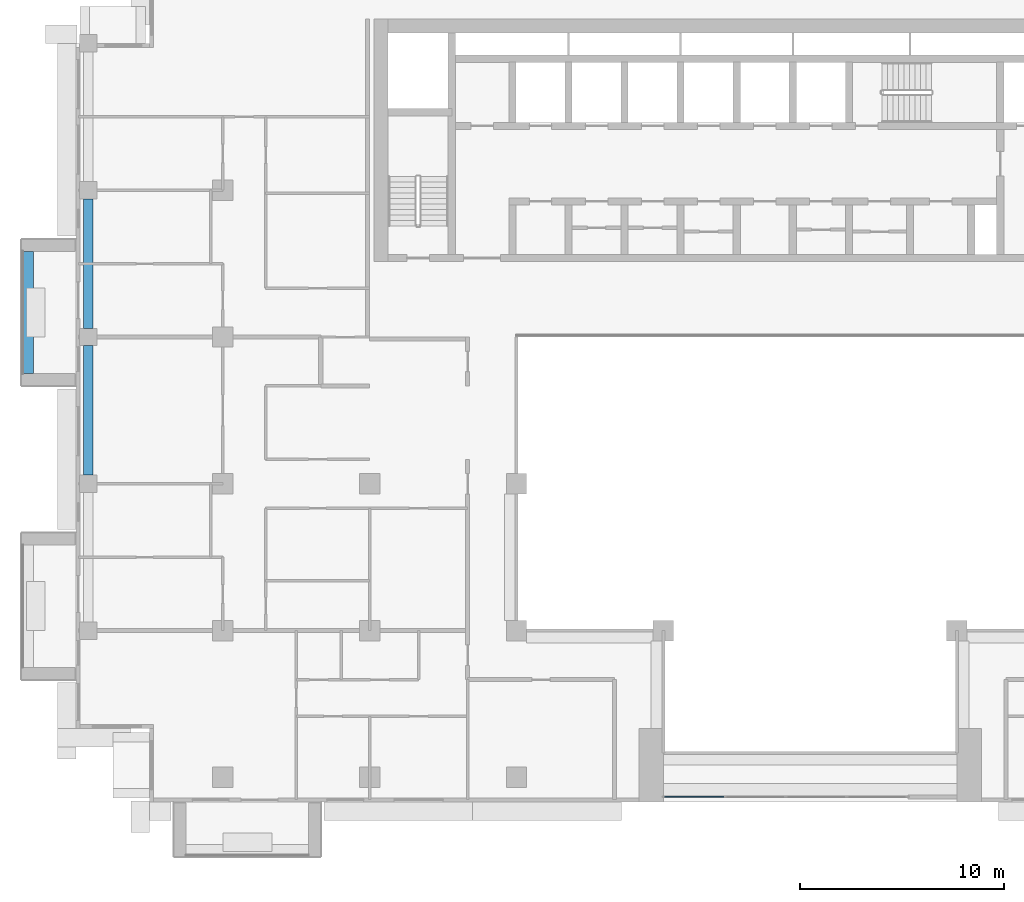
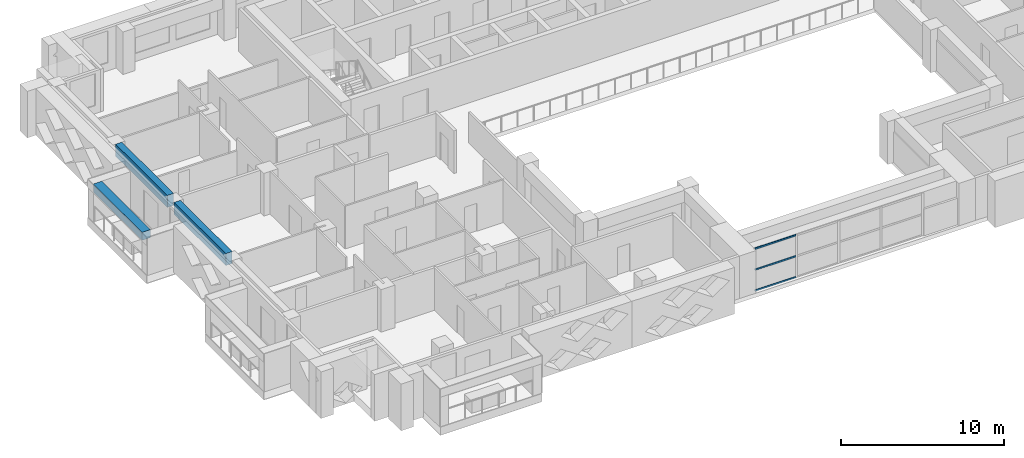
# One storey, part 3 of 20: 3 beams, 3 members, 1 element without a shape of its own.
"""IFC4 building model written with IfcOpenShell, lengths in metres."""

from ifc_helpers import new_model, si_unit, direction, frame, origin, origin_2d, place, context, subcontext, project, spatial, rectangle, extrude, source, transform, mapped, material, layer, layer_set, material_profile, profile_set, type_object, element, aggregate, save


model = new_model("IFC4")

# Units and contexts
model_context = context("Model", 3, precision=1e-05, world=origin(), true_north=direction((0.0, 1.0)))
body_context = subcontext(model_context, "Body", "Model", "MODEL_VIEW")
ifc_project = project(units=[si_unit("LENGTHUNIT", "METRE"), si_unit("AREAUNIT", "SQUARE_METRE"), si_unit("VOLUMEUNIT", "CUBIC_METRE"), si_unit("PLANEANGLEUNIT", "RADIAN"), si_unit("MASSUNIT", "GRAM", prefix="KILO")], contexts=[model_context])

# Site, building, storey
site_placement = place(None, origin())
site = spatial("IfcSite", under=ifc_project, at=site_placement, CompositionType="ELEMENT")
building_placement = place(site_placement, origin())
building = spatial("IfcBuilding", under=site, at=building_placement, Name="Saffron Iwan Residences", CompositionType="ELEMENT")
storey_placement = place(building_placement, frame((0.0, 0.0, 171.0)))
storey = spatial("IfcBuildingStorey", under=building, at=storey_placement, Name="L45", CompositionType="ELEMENT", Elevation=171.0)

# Beams
ifc_material_1 = material(Name="Concrete C50/60", Category="concrete")
ifc_material_profile_1 = material_profile(ifc_material_1, rectangle(XDim=0.449951171875, YDim=0.89990234375, at=origin_2d()), Name="RC 450x900")
ifc_profile_set_1 = profile_set([ifc_material_profile_1], Name="Concrete C50/60")
beam_type_1 = type_object("IfcBeamType", Name="SPANDREL BEAM RC 450x900 C50/60 TOP 3200", PredefinedType="SPANDREL", material=ifc_profile_set_1)
shared_shape_1 = source(origin(), body_context, "Body", "SweptSolid", [
    extrude(rectangle(XDim=0.449951171875, YDim=0.89990234375, at=origin_2d()), origin(), (0.0, 0.0, 1.0), 6.35009765625),
])
for number, where, z_axis, x_axis, name in (
    (1, (15.0, 55.625, 2.75), (0.0, 1.0, 0.0), (-1.0, 0.0, 0.0), "Spandrel beam"),
    (2, (15.0, 62.824951171875, 2.75), (0.0, 1.0, 0.0), (-1.0, 0.0, 0.0), "Spandrel beam"),
):
    element("IfcBeam", number, at=place(storey_placement, frame(where, z_axis=z_axis, x_axis=x_axis)), inside=storey, type_object=beam_type_1, Name=name, PredefinedType="SPANDREL", context=body_context, shape_type="MappedRepresentation", body=[
        mapped(shared_shape_1, transform((0.0, 0.0, 0.0))),
    ])

# Curtain wall, members
ifc_material_2 = material(Name="Clear glass, laminated double glazed", Category="glass")
ifc_layer = layer(ifc_material_2, 0.199951171875)
ifc_layer_set = layer_set([ifc_layer], Name="Clear glass, laminated double glazed")
curtain_wall_type = type_object("IfcCurtainWallType", Name="CW-B IWAN PORTAL", PredefinedType="NOTDEFINED", material=ifc_layer_set)
curtain_wall_placement = place(storey_placement, origin())
curtain_wall = element("IfcCurtainWall", 3, at=curtain_wall_placement, inside=storey, type_object=curtain_wall_type, Name="Iwan portal glazing L45.1", PredefinedType="NOTDEFINED")
ifc_material_3 = material(Name="Aluminium 6063-T6", Category="aluminium")
ifc_material_profile_2 = material_profile(ifc_material_3, rectangle(XDim=0.06005859375, YDim=0.1201171875, at=origin_2d()), Name="CW-B TRANSOM 60 x 120")
ifc_profile_set_2 = profile_set([ifc_material_profile_2], Name="Aluminium 6063-T6")
member_type = type_object("IfcMemberType", Name="CW-B TRANSOM 60 x 120", PredefinedType="USERDEFINED", material=ifc_profile_set_2)
shared_shape_2 = source(origin(), body_context, "Body", "SweptSolid", [
    extrude(rectangle(XDim=0.06005859375, YDim=0.1201171875, at=origin_2d()), origin(), (0.0, 0.0, 1.0), 2.909912109375),
])
member_1_placement = place(storey_placement, frame((43.260009765625, 39.85009765625, 0.030029296875), z_axis=(1.0, 0.0, 0.0), x_axis=(0.0, 1.0, 0.0)))
member_1 = element("IfcMember", 4, at=member_1_placement, type_object=member_type, Name="CW-B transom 1.1", ObjectType="TRANSOM", PredefinedType="USERDEFINED", context=body_context, shape_type="MappedRepresentation", body=[
    mapped(shared_shape_2, transform((0.0, 0.0, 0.0))),
])
member_2_placement = place(storey_placement, frame((43.260009765625, 39.85009765625, 1.60009765625), z_axis=(1.0, 0.0, 0.0), x_axis=(0.0, 1.0, 0.0)))
member_2 = element("IfcMember", 5, at=member_2_placement, type_object=member_type, Name="CW-B transom 1.2", ObjectType="TRANSOM", PredefinedType="USERDEFINED", context=body_context, shape_type="MappedRepresentation", body=[
    mapped(shared_shape_2, transform((0.0, 0.0, 0.0))),
])
member_3_placement = place(storey_placement, frame((43.260009765625, 39.85009765625, 3.169921875), z_axis=(1.0, 0.0, 0.0), x_axis=(0.0, 1.0, 0.0)))
member_3 = element("IfcMember", 6, at=member_3_placement, type_object=member_type, Name="CW-B transom 1.3", ObjectType="TRANSOM", PredefinedType="USERDEFINED", context=body_context, shape_type="MappedRepresentation", body=[
    mapped(shared_shape_2, transform((0.0, 0.0, 0.0))),
])
aggregate(curtain_wall, [member_1, member_2, member_3])

# Beam
ifc_material_4 = material(Name="Concrete C50/60 white painted", Category="concrete")
ifc_material_profile_3 = material_profile(ifc_material_4, rectangle(XDim=0.60009765625, YDim=0.60009765625, at=origin_2d()), Name="BALCONY FASCIA BEAM 600 x 600")
ifc_profile_set_3 = profile_set([ifc_material_profile_3], Name="Concrete C50/60 white painted")
beam_type_2 = type_object("IfcBeamType", Name="BALCONY FASCIA BEAM 600 x 600", PredefinedType="BEAM", material=ifc_profile_set_3)
shared_shape_3 = source(origin(), body_context, "Body", "SweptSolid", [
    extrude(rectangle(XDim=0.60009765625, YDim=0.60009765625, at=origin_2d()), origin(), (0.0, 0.0, 1.0), 6.0),
])
beam_placement = place(storey_placement, frame((12.0, 66.60009765625, 2.550048828125), z_axis=(0.0, -1.0, 0.0), x_axis=(1.0, 0.0, 0.0)))
element("IfcBeam", 7, at=beam_placement, inside=storey, type_object=beam_type_2, Name="Balcony fascia beam L45 F8-0", PredefinedType="BEAM", context=body_context, shape_type="MappedRepresentation", body=[
    mapped(shared_shape_3, transform((0.0, 0.0, 0.0))),
])

save(model, "model.ifc")
